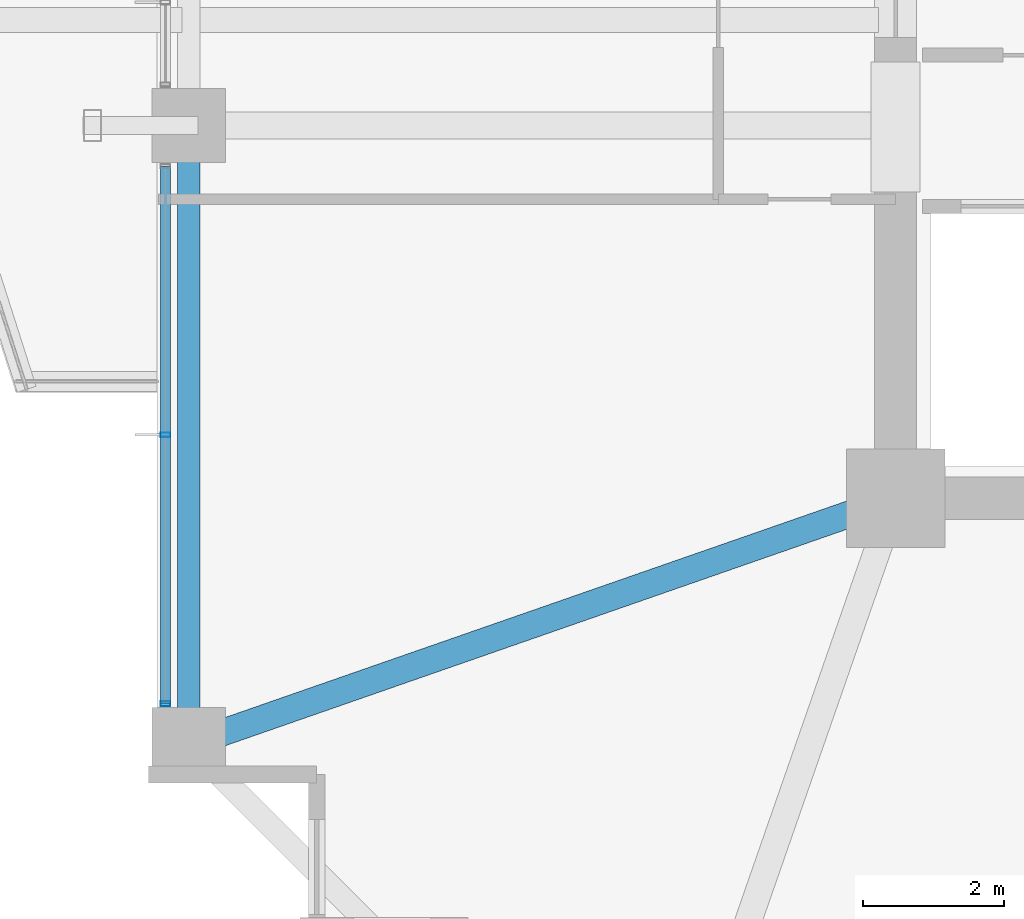
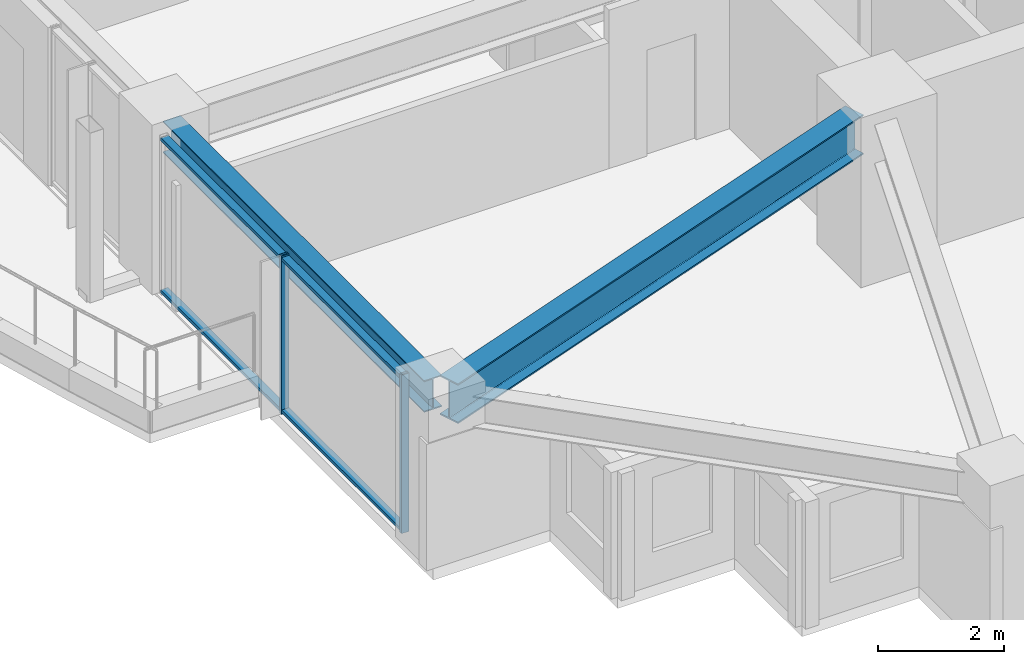
# One storey, part 3 of 37: 4 members, 2 beams, 1 element without a shape of its own.
"""IFC4 building model written with IfcOpenShell, lengths in metres."""

from ifc_helpers import new_model, si_unit, direction, frame, origin, origin_2d, place, context, subcontext, project, spatial, hollow_rectangle, i_section, extrude, material, material_profile, profile_set, type_object, element, aggregate, save


model = new_model("IFC4")

# Units and contexts
model_context = context("Model", 3, precision=1e-05, world=origin(), true_north=direction((0.0, 1.0)))
body_context = subcontext(model_context, "Body", "Model", "MODEL_VIEW")
ifc_project = project(units=[si_unit("LENGTHUNIT", "METRE"), si_unit("AREAUNIT", "SQUARE_METRE"), si_unit("VOLUMEUNIT", "CUBIC_METRE"), si_unit("PLANEANGLEUNIT", "RADIAN"), si_unit("MASSUNIT", "GRAM", prefix="KILO")], contexts=[model_context])

# Site, building, storey
site_placement = place(None, origin())
site = spatial("IfcSite", under=ifc_project, at=site_placement, CompositionType="ELEMENT")
building_placement = place(site_placement, origin())
building = spatial("IfcBuilding", under=site, at=building_placement, Name="Kolvaren Belvedere", CompositionType="ELEMENT")
storey_placement = place(building_placement, frame((0.0, 0.0, 75.5)))
storey = spatial("IfcBuildingStorey", under=building, at=storey_placement, Name="L21", CompositionType="ELEMENT", Elevation=75.5)

# Beams
ifc_material_1 = material(Name="Structural steel ASTM A992 Grade 50", Category="steel")
ifc_material_profile_1 = material_profile(ifc_material_1, i_section(OverallWidth=0.381103515625, OverallDepth=0.77294921875, WebThickness=0.0166015625, FlangeThickness=0.027099609375, FilletRadius=0.02392578125, at=origin_2d()), Name="W30X173")
ifc_profile_set_1 = profile_set([ifc_material_profile_1], Name="Structural steel ASTM A992 Grade 50")
beam_type_1 = type_object("IfcBeamType", Name="BM-GIRD-W30X173", PredefinedType="BEAM", material=ifc_profile_set_1)
beam_1_placement = place(storey_placement, frame((-10.41943359375, -10.080810546875, 2.693603515625), z_axis=(-0.944371408538, -0.328880894453, 0.0), x_axis=(0.328880894453, -0.944371408538, 0.0)))
element("IfcBeam", 1, at=beam_1_placement, inside=storey, type_object=beam_type_1, Name="L21 Corner Core-to-Perimeter Girder CC1-W1", PredefinedType="BEAM", context=body_context, shape_type="SweptSolid", body=[
    extrude(i_section(OverallWidth=0.381103515625, OverallDepth=0.77294921875, WebThickness=0.0166015625, FlangeThickness=0.027099609375, FilletRadius=0.02392578125, at=origin_2d()), origin(), (0.0, 0.0, 1.0), 9.882080078125),
])
ifc_material_2 = material(Name="Structural steel ASTM A992 Grade 50", Category="steel")
ifc_material_profile_2 = material_profile(ifc_material_2, i_section(OverallWidth=0.324951171875, OverallDepth=0.615966796875, WebThickness=0.013916015625, FlangeThickness=0.021484375, FilletRadius=0.02001953125, at=origin_2d()), Name="W24X117")
ifc_profile_set_2 = profile_set([ifc_material_profile_2], Name="Structural steel ASTM A992 Grade 50")
beam_type_2 = type_object("IfcBeamType", Name="BM-SPAN-W24X117", PredefinedType="SPANDREL", material=ifc_profile_set_2)
beam_2_placement = place(storey_placement, frame((-19.949951171875, -4.836181640625, 2.77197265625), z_axis=(0.0, -1.0, 0.0), x_axis=(1.0, 0.0, 0.0)))
element("IfcBeam", 2, at=beam_2_placement, inside=storey, type_object=beam_type_2, Name="L21 Perimeter Spandrel W2-W1", PredefinedType="SPANDREL", context=body_context, shape_type="SweptSolid", body=[
    extrude(i_section(OverallWidth=0.324951171875, OverallDepth=0.615966796875, WebThickness=0.013916015625, FlangeThickness=0.021484375, FilletRadius=0.02001953125, at=origin_2d()), origin(), (0.0, 0.0, 1.0), 8.32763671875),
])

# Curtain wall, members
ifc_material_3 = material(Name="Anodised pale-metal aluminium AA 6063-T6", Category="aluminium")
curtain_wall_type = type_object("IfcCurtainWallType", Name="CW-Z2-MID", PredefinedType="NOTDEFINED", material=ifc_material_3)
curtain_wall_placement = place(storey_placement, origin())
curtain_wall = element("IfcCurtainWall", 3, at=curtain_wall_placement, inside=storey, type_object=curtain_wall_type, Name="L21 Unitised Curtain Wall FCW-L21-W1-B1", PredefinedType="NOTDEFINED")
ifc_material_4 = material(Name="Anodised pale-metal aluminium AA 6063-T6", Category="aluminium")
ifc_material_profile_3 = material_profile(ifc_material_4, hollow_rectangle(XDim=0.06494140625, YDim=0.139892578125, WallThickness=0.00390625, at=origin_2d()), Name="ALU-MUL-140X65")
ifc_profile_set_3 = profile_set([ifc_material_profile_3], Name="Anodised pale-metal aluminium AA 6063-T6")
member_type_1 = type_object("IfcMemberType", Name="CW-MUL-140", PredefinedType="MULLION", material=ifc_profile_set_3)
member_1_placement = place(storey_placement, frame((-20.280029296875, -12.822509765625, 0.0), z_axis=(0.0, 0.0, 1.0), x_axis=(0.0, 1.0, 0.0)))
member_1 = element("IfcMember", 4, at=member_1_placement, type_object=member_type_1, Name="FCW-L21-W1-B1 Unitised Mullion 1", PredefinedType="MULLION", context=body_context, shape_type="SweptSolid", body=[
    extrude(hollow_rectangle(XDim=0.06494140625, YDim=0.139892578125, WallThickness=0.00390625, at=origin_2d()), origin(), (0.0, 0.0, 1.0), 3.080078125),
])
member_2_placement = place(storey_placement, frame((-20.280029296875, -9.0, 0.0), z_axis=(0.0, 0.0, 1.0), x_axis=(0.0, 1.0, 0.0)))
member_2 = element("IfcMember", 5, at=member_2_placement, type_object=member_type_1, Name="FCW-L21-W1-B1 Unitised Mullion 2", PredefinedType="MULLION", context=body_context, shape_type="SweptSolid", body=[
    extrude(hollow_rectangle(XDim=0.06494140625, YDim=0.139892578125, WallThickness=0.00390625, at=origin_2d()), origin(), (0.0, 0.0, 1.0), 3.080078125),
])
ifc_material_5 = material(Name="Anodised pale-metal aluminium AA 6063-T6", Category="aluminium")
ifc_material_profile_4 = material_profile(ifc_material_5, hollow_rectangle(XDim=0.06005859375, YDim=0.139892578125, WallThickness=0.00390625, at=origin_2d()), Name="ALU-TRN-140X60")
ifc_profile_set_4 = profile_set([ifc_material_profile_4], Name="Anodised pale-metal aluminium AA 6063-T6")
member_type_2 = type_object("IfcMemberType", Name="CW-TRN-140", PredefinedType="USERDEFINED", material=ifc_profile_set_4)
member_3_placement = place(storey_placement, frame((-20.280029296875, -12.822509765625, 0.06005859375), z_axis=(0.0, 1.0, 0.0), x_axis=(0.0, 0.0, 1.0)))
member_3 = element("IfcMember", 6, at=member_3_placement, type_object=member_type_2, Name="FCW-L21-W1-B1 Sill Transom", ObjectType="TRANSOM", PredefinedType="USERDEFINED", context=body_context, shape_type="SweptSolid", body=[
    extrude(hollow_rectangle(XDim=0.06005859375, YDim=0.139892578125, WallThickness=0.00390625, at=origin_2d()), origin(), (0.0, 0.0, 1.0), 7.64501953125),
])
member_4_placement = place(storey_placement, frame((-20.280029296875, -12.822509765625, 3.02001953125), z_axis=(0.0, 1.0, 0.0), x_axis=(0.0, 0.0, 1.0)))
member_4 = element("IfcMember", 7, at=member_4_placement, type_object=member_type_2, Name="FCW-L21-W1-B1 Head Transom", ObjectType="TRANSOM", PredefinedType="USERDEFINED", context=body_context, shape_type="SweptSolid", body=[
    extrude(hollow_rectangle(XDim=0.06005859375, YDim=0.139892578125, WallThickness=0.00390625, at=origin_2d()), origin(), (0.0, 0.0, 1.0), 7.64501953125),
])
aggregate(curtain_wall, [member_1, member_2, member_3, member_4])

save(model, "model.ifc")
